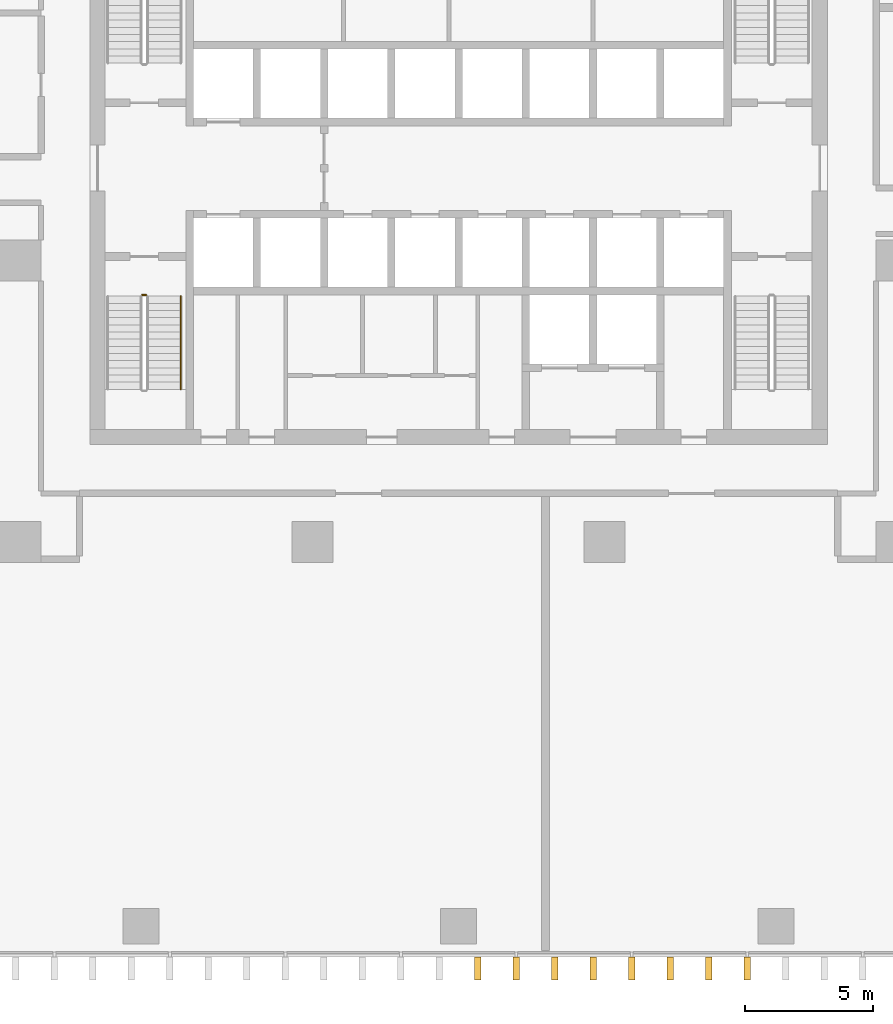
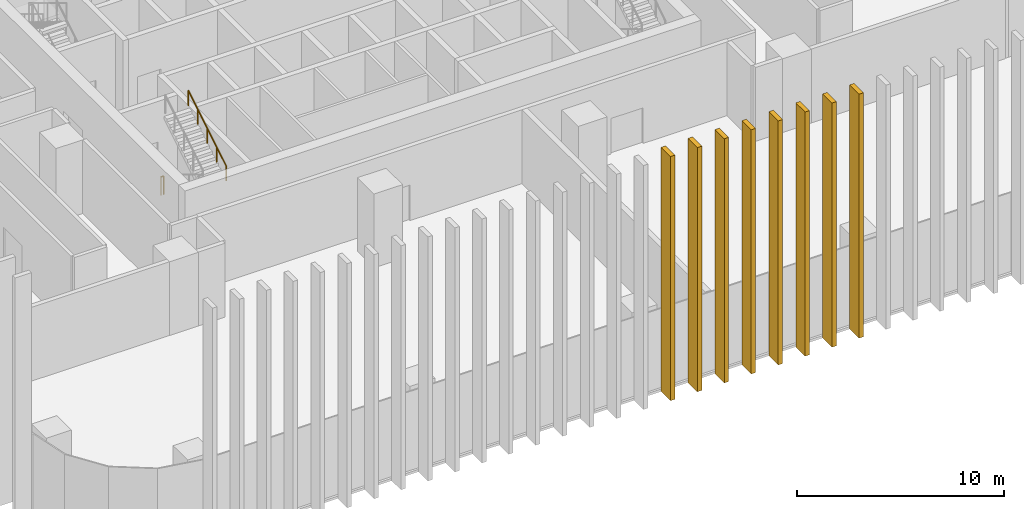
# One storey, part 13 of 17: 8 shading devices, 2 railings.
"""IFC4 building model written with IfcOpenShell, lengths in metres."""

from ifc_helpers import new_model, si_unit, direction, frame, origin, origin_2d, place, context, subcontext, project, spatial, rectangle, circle, extrude, material, type_object, element, save


model = new_model("IFC4")

# Units and contexts
model_context = context("Model", 3, precision=1e-05, world=origin(), true_north=direction((0.0, 1.0)))
body_context = subcontext(model_context, "Body", "Model", "MODEL_VIEW")
ifc_project = project(units=[si_unit("LENGTHUNIT", "METRE"), si_unit("AREAUNIT", "SQUARE_METRE"), si_unit("VOLUMEUNIT", "CUBIC_METRE"), si_unit("PLANEANGLEUNIT", "RADIAN"), si_unit("MASSUNIT", "GRAM", prefix="KILO")], contexts=[model_context])

# Site, building, storey
site_placement = place(None, origin())
site = spatial("IfcSite", under=ifc_project, at=site_placement, CompositionType="ELEMENT")
building_placement = place(site_placement, origin())
building = spatial("IfcBuilding", under=site, at=building_placement, Name="Mopane Tessera Tower", CompositionType="ELEMENT")
storey_placement = place(building_placement, frame((0.0, 0.0, 31.0)))
storey = spatial("IfcBuildingStorey", under=building, at=storey_placement, Name="L05", CompositionType="ELEMENT", Elevation=31.0)

# Shading devices
ifc_material_1 = material(Name="Glazed ceramic tile")
shading_device_type = type_object("IfcShadingDeviceType", Name="Ceramic tile fin 900 x 250 mm", PredefinedType="USERDEFINED", material=ifc_material_1)
for number, where, z_axis, x_axis, name in (
    (1, (0.75146484375, -27.64990234375, -0.449951171875), (0.0, 0.0, 1.0), (1.0, 0.0, 0.0), "e:fin:L05:S:5:2"),
    (2, (2.254638671875, -27.64990234375, -0.449951171875), (0.0, 0.0, 1.0), (1.0, 0.0, 0.0), "e:fin:L05:S:6:0"),
    (3, (3.757568359375, -27.64990234375, -0.449951171875), (0.0, 0.0, 1.0), (1.0, 0.0, 0.0), "e:fin:L05:S:6:1"),
    (4, (5.260498046875, -27.64990234375, -0.449951171875), (0.0, 0.0, 1.0), (1.0, 0.0, 0.0), "e:fin:L05:S:6:2"),
    (5, (6.763671875, -27.64990234375, -0.449951171875), (0.0, 0.0, 1.0), (1.0, 0.0, 0.0), "e:fin:L05:S:7:0"),
    (6, (8.2666015625, -27.64990234375, -0.449951171875), (0.0, 0.0, 1.0), (1.0, 0.0, 0.0), "e:fin:L05:S:7:1"),
    (7, (9.769775390625, -27.64990234375, -0.449951171875), (0.0, 0.0, 1.0), (1.0, 0.0, 0.0), "e:fin:L05:S:7:2"),
    (8, (11.272705078125, -27.64990234375, -0.449951171875), (0.0, 0.0, 1.0), (1.0, 0.0, 0.0), "e:fin:L05:S:8:0"),
):
    element("IfcShadingDevice", number, at=place(storey_placement, frame(where, z_axis=z_axis, x_axis=x_axis)), inside=storey, type_object=shading_device_type, Name=name, ObjectType="FIN", PredefinedType="USERDEFINED", context=body_context, shape_type="SweptSolid", body=[
        extrude(rectangle(XDim=0.25, YDim=0.89990234375, at=origin_2d()), origin(), (0.0, 0.0, 1.0), 14.39990234375),
    ])

# Railings
ifc_material_2 = material(Name="Powder-coated steel balustrade", Category="steel")
railing_type_1 = type_object("IfcRailingType", Name="Escape stair guard 1100 mm", PredefinedType="GUARDRAIL", material=ifc_material_2)
railing_1_placement = place(storey_placement, frame((-12.35009765625, -1.35009765625, 0.0)))
element("IfcRailing", 9, at=railing_1_placement, inside=storey, type_object=railing_type_1, Name="L05 ST1 stair guard 3", PredefinedType="GUARDRAIL", context=body_context, shape_type="SweptSolid", body=[
    extrude(circle(Radius=0.02392578125, at=origin_2d()), frame((0.0, 0.0, 1.076171875), z_axis=(1.0, 0.0, 0.0), x_axis=(0.0, 1.0, 0.0)), (0.0, 0.0, 1.0), 0.150146484375),
    extrude(circle(Radius=0.02099609375, at=origin_2d()), origin(), (0.0, 0.0, 1.0), 1.052001953125),
    extrude(circle(Radius=0.02099609375, at=origin_2d()), frame((0.150146484375, 0.0, 0.0)), (0.0, 0.0, 1.0), 1.052001953125),
])
ifc_material_3 = material(Name="Powder-coated steel balustrade", Category="steel")
railing_type_2 = type_object("IfcRailingType", Name="Escape stair handrail 900 mm", PredefinedType="HANDRAIL", material=ifc_material_3)
railing_2_placement = place(storey_placement, frame((-10.85009765625, -5.0400390625, 2.571533203125)))
element("IfcRailing", 10, at=railing_2_placement, inside=storey, type_object=railing_type_2, Name="L05 ST1 stair handrail 2", PredefinedType="HANDRAIL", context=body_context, shape_type="SweptSolid", body=[
    extrude(circle(Radius=0.02392578125, at=origin_2d()), frame((0.0, 0.0, 0.8759765625), z_axis=(0.0, 0.852865859571, 0.52213008492), x_axis=(-1.0, 0.0, 0.0)), (0.0, 0.0, 1.0), 4.26806640625),
    extrude(circle(Radius=0.02099609375, at=origin_2d()), origin(), (0.0, 0.0, 1.0), 0.851806640625),
    extrude(circle(Radius=0.02099609375, at=origin_2d()), frame((0.0, 0.91015625, 0.55712890625)), (0.0, 0.0, 1.0), 0.851806640625),
    extrude(circle(Radius=0.02099609375, at=origin_2d()), frame((0.0, 1.820068359375, 1.1142578125)), (0.0, 0.0, 1.0), 0.851806640625),
    extrude(circle(Radius=0.02099609375, at=origin_2d()), frame((0.0, 2.72998046875, 1.67138671875)), (0.0, 0.0, 1.0), 0.851806640625),
    extrude(circle(Radius=0.02099609375, at=origin_2d()), frame((0.0, 3.64013671875, 2.228515625)), (0.0, 0.0, 1.0), 0.851806640625),
])

save(model, "model.ifc")
